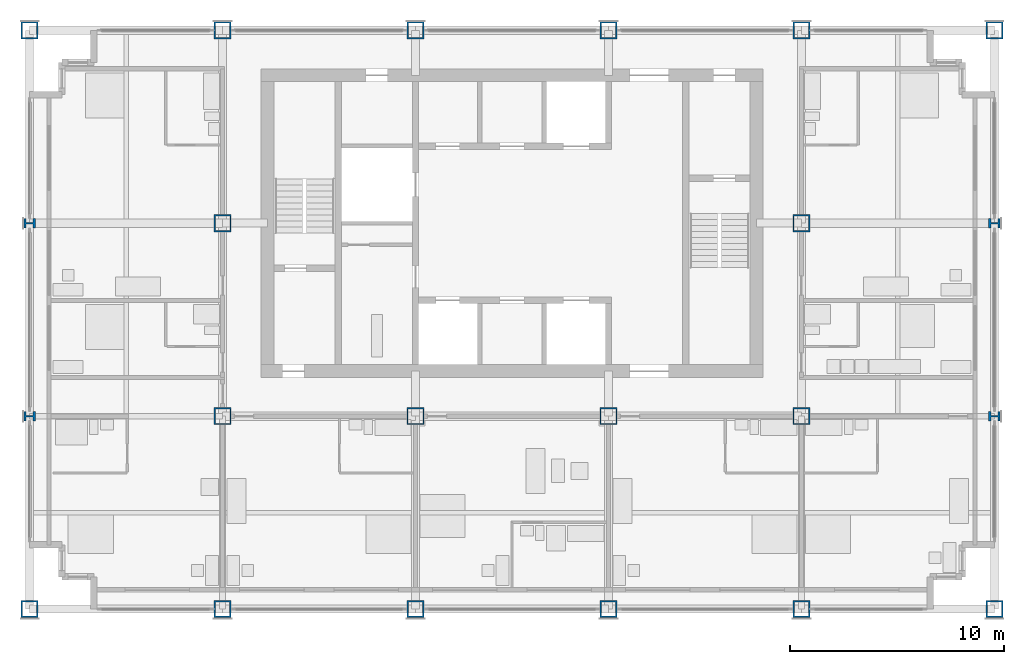
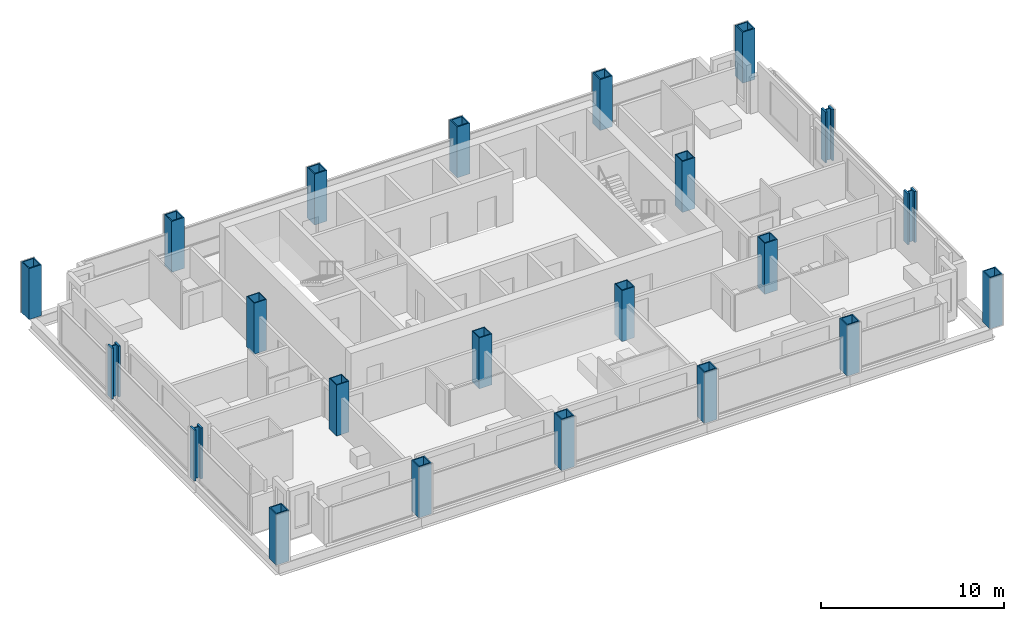
# One storey, part 1 of 13: 22 columns.
"""IFC4 building model written with IfcOpenShell, lengths in metres."""

from ifc_helpers import new_model, si_unit, direction, frame, origin, origin_2d, place, context, subcontext, project, spatial, hollow_rectangle, i_section, extrude, material, material_profile, profile_set, type_object, element, save


model = new_model("IFC4")

# Units and contexts
model_context = context("Model", 3, precision=1e-05, world=origin(), true_north=direction((0.0, 1.0)))
body_context = subcontext(model_context, "Body", "Model", "MODEL_VIEW")
ifc_project = project(units=[si_unit("LENGTHUNIT", "METRE"), si_unit("AREAUNIT", "SQUARE_METRE"), si_unit("VOLUMEUNIT", "CUBIC_METRE"), si_unit("PLANEANGLEUNIT", "RADIAN"), si_unit("MASSUNIT", "GRAM", prefix="KILO")], contexts=[model_context])

# Site, building, storey
site_placement = place(None, origin())
site = spatial("IfcSite", under=ifc_project, at=site_placement, CompositionType="ELEMENT")
building_placement = place(site_placement, origin())
building = spatial("IfcBuilding", under=site, at=building_placement, Name="Loomwork Tower", CompositionType="ELEMENT")
storey_placement = place(building_placement, frame((0.0, 0.0, 174.0)))
storey = spatial("IfcBuildingStorey", under=building, at=storey_placement, Name="L47", CompositionType="ELEMENT", Elevation=174.0)

# Columns
ifc_material_1 = material(Name="Steel ASTM A572 Grade 50 plate", Category="steel")
ifc_material_profile_1 = material_profile(ifc_material_1, hollow_rectangle(XDim=0.800048828125, YDim=0.800048828125, WallThickness=0.070068359375, at=origin_2d()), Name="BOX800x70")
ifc_profile_set_1 = profile_set([ifc_material_profile_1], Name="Steel ASTM A572 Grade 50 plate")
column_type_1 = type_object("IfcColumnType", Name="EXOSKELETON PIER BOX800x70", PredefinedType="COLUMN", material=ifc_profile_set_1)
for number, where, z_axis, x_axis, name in (
    (1, (0.0, 0.0, 0.0), (0.0, 0.0, 1.0), (1.0, 0.0, 0.0), "Exoskeleton Pier D/2 L47"),
    (2, (0.0, 27.0, 0.0), (0.0, 0.0, 1.0), (0.0, 1.0, 0.0), "Exoskeleton Pier G/2 L47"),
    (3, (9.0, 0.0, 0.0), (0.0, 0.0, 1.0), (1.0, 0.0, 0.0), "Exoskeleton Pier D/3 L47"),
    (4, (9.0, 27.0, 0.0), (0.0, 0.0, 1.0), (1.0, 0.0, 0.0), "Exoskeleton Pier G/3 L47"),
    (5, (18.0, 0.0, 0.0), (0.0, 0.0, 1.0), (1.0, 0.0, 0.0), "Exoskeleton Pier D/4 L47"),
    (6, (18.0, 27.0, 0.0), (0.0, 0.0, 1.0), (1.0, 0.0, 0.0), "Exoskeleton Pier G/4 L47"),
    (7, (27.0, 0.0, 0.0), (0.0, 0.0, 1.0), (1.0, 0.0, 0.0), "Exoskeleton Pier D/5 L47"),
    (8, (27.0, 27.0, 0.0), (0.0, 0.0, 1.0), (1.0, 0.0, 0.0), "Exoskeleton Pier G/5 L47"),
    (9, (36.0, 0.0, 0.0), (0.0, 0.0, 1.0), (1.0, 0.0, 0.0), "Exoskeleton Pier D/6 L47"),
    (10, (36.0, 27.0, 0.0), (0.0, 0.0, 1.0), (1.0, 0.0, 0.0), "Exoskeleton Pier G/6 L47"),
    (11, (45.0, 0.0, 0.0), (0.0, 0.0, 1.0), (1.0, 0.0, 0.0), "Exoskeleton Pier D/7 L47"),
    (12, (45.0, 27.0, 0.0), (0.0, 0.0, 1.0), (0.0, 1.0, 0.0), "Exoskeleton Pier G/7 L47"),
):
    element("IfcColumn", number, at=place(storey_placement, frame(where, z_axis=z_axis, x_axis=x_axis)), inside=storey, type_object=column_type_1, Name=name, PredefinedType="COLUMN", context=body_context, shape_type="SweptSolid", body=[
        extrude(hollow_rectangle(XDim=0.800048828125, YDim=0.800048828125, WallThickness=0.070068359375, at=origin_2d()), origin(), (0.0, 0.0, 1.0), 3.39990234375),
    ])
ifc_material_2 = material(Name="Steel ASTM A992", Category="steel")
ifc_material_profile_2 = material_profile(ifc_material_2, i_section(OverallWidth=0.449462890625, OverallDepth=0.548583984375, WebThickness=0.07177734375, FlangeThickness=0.11474609375, at=origin_2d()), Name="W14x665")
ifc_profile_set_2 = profile_set([ifc_material_profile_2], Name="Steel ASTM A992")
column_type_2 = type_object("IfcColumnType", Name="EXOSKELETON PIER W14x665", PredefinedType="COLUMN", material=ifc_profile_set_2)
for number, where, z_axis, x_axis, name in (
    (13, (0.0, 9.0, 0.0), (0.0, 0.0, 1.0), (0.0, 1.0, 0.0), "Exoskeleton Pier E/2 L47"),
    (14, (0.0, 18.0, 0.0), (0.0, 0.0, 1.0), (0.0, 1.0, 0.0), "Exoskeleton Pier F/2 L47"),
    (15, (45.0, 9.0, 0.0), (0.0, 0.0, 1.0), (0.0, 1.0, 0.0), "Exoskeleton Pier E/7 L47"),
    (16, (45.0, 18.0, 0.0), (0.0, 0.0, 1.0), (0.0, 1.0, 0.0), "Exoskeleton Pier F/7 L47"),
):
    element("IfcColumn", number, at=place(storey_placement, frame(where, z_axis=z_axis, x_axis=x_axis)), inside=storey, type_object=column_type_2, Name=name, PredefinedType="COLUMN", context=body_context, shape_type="SweptSolid", body=[
        extrude(i_section(OverallWidth=0.449462890625, OverallDepth=0.548583984375, WebThickness=0.07177734375, FlangeThickness=0.11474609375, at=origin_2d()), origin(), (0.0, 0.0, 1.0), 3.39990234375),
    ])
ifc_material_3 = material(Name="Steel ASTM A572 Grade 50 plate", Category="steel")
ifc_material_profile_3 = material_profile(ifc_material_3, hollow_rectangle(XDim=0.800048828125, YDim=0.800048828125, WallThickness=0.06005859375, at=origin_2d()), Name="BOX800x60")
ifc_profile_set_3 = profile_set([ifc_material_profile_3], Name="Steel ASTM A572 Grade 50 plate")
column_type_3 = type_object("IfcColumnType", Name="TOWER COLUMN BOX800x60", PredefinedType="COLUMN", material=ifc_profile_set_3)
for number, where, z_axis, x_axis, name in (
    (17, (9.0, 9.0, 0.0), (0.0, 0.0, 1.0), (1.0, 0.0, 0.0), "Tower Column E/3 L47"),
    (18, (9.0, 18.0, 0.0), (0.0, 0.0, 1.0), (1.0, 0.0, 0.0), "Tower Column F/3 L47"),
    (19, (18.0, 9.0, 0.0), (0.0, 0.0, 1.0), (1.0, 0.0, 0.0), "Tower Column E/4 L47"),
    (20, (27.0, 9.0, 0.0), (0.0, 0.0, 1.0), (1.0, 0.0, 0.0), "Tower Column E/5 L47"),
    (21, (36.0, 9.0, 0.0), (0.0, 0.0, 1.0), (0.0, 1.0, 0.0), "Tower Column E/6 L47"),
    (22, (36.0, 18.0, 0.0), (0.0, 0.0, 1.0), (0.0, 1.0, 0.0), "Tower Column F/6 L47"),
):
    element("IfcColumn", number, at=place(storey_placement, frame(where, z_axis=z_axis, x_axis=x_axis)), inside=storey, type_object=column_type_3, Name=name, PredefinedType="COLUMN", context=body_context, shape_type="SweptSolid", body=[
        extrude(hollow_rectangle(XDim=0.800048828125, YDim=0.800048828125, WallThickness=0.06005859375, at=origin_2d()), origin(), (0.0, 0.0, 1.0), 3.39990234375),
    ])

save(model, "model.ifc")
